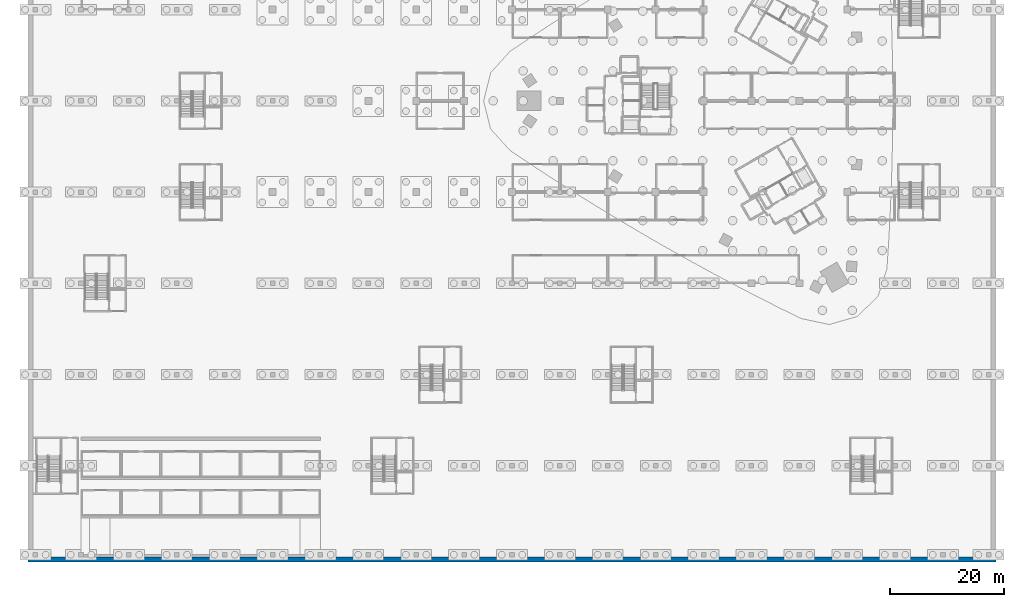
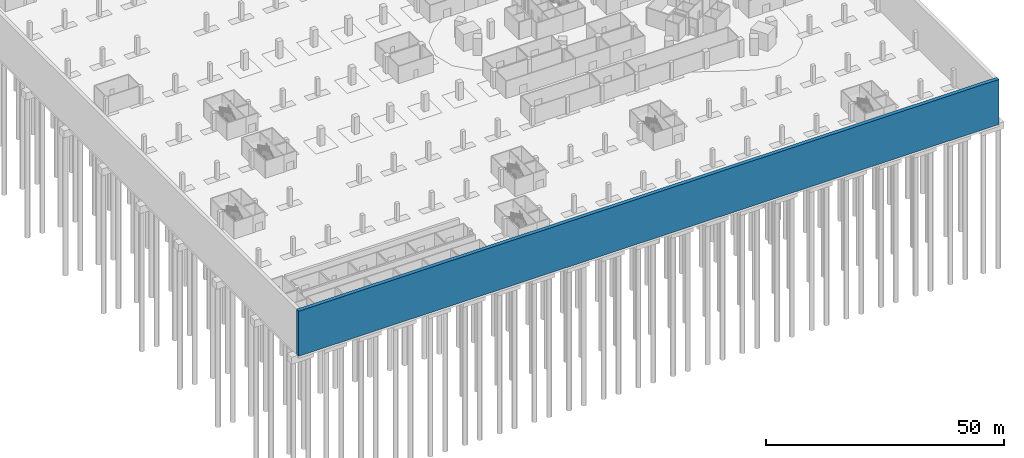
# One storey, part 8 of 46: 1 wall.
"""IFC4 building model written with IfcOpenShell, lengths in metres."""

from ifc_helpers import new_model, si_unit, direction, frame, frame_2d, origin, place, context, subcontext, project, spatial, rectangle, extrude, material, layer, layer_set, type_object, element, save


model = new_model("IFC4")

# Units and contexts
model_context = context("Model", 3, precision=1e-05, world=origin(), true_north=direction((0.0, 1.0)))
body_context = subcontext(model_context, "Body", "Model", "MODEL_VIEW")
ifc_project = project(units=[si_unit("LENGTHUNIT", "METRE"), si_unit("AREAUNIT", "SQUARE_METRE"), si_unit("VOLUMEUNIT", "CUBIC_METRE"), si_unit("PLANEANGLEUNIT", "RADIAN"), si_unit("MASSUNIT", "GRAM", prefix="KILO")], contexts=[model_context])

# Site, building, storey
site_placement = place(None, origin())
site = spatial("IfcSite", under=ifc_project, at=site_placement, CompositionType="ELEMENT")
building_placement = place(site_placement, origin())
building = spatial("IfcBuilding", under=site, at=building_placement, Name="Tamra Quay Hotel Tower", CompositionType="ELEMENT")
storey_placement = place(building_placement, frame((0.0, 0.0, -12.0)))
storey = spatial("IfcBuildingStorey", under=building, at=storey_placement, Name="B3", CompositionType="ELEMENT", Elevation=-12.0)

# Wall
ifc_material = material(Name="Concrete M70", Category="concrete")
ifc_layer = layer(ifc_material, 0.89990234375)
ifc_layer_set = layer_set([ifc_layer], Name="RETAINING WALL 900")
wall_type = type_object("IfcWallType", Name="RETAINING WALL 900", PredefinedType="USERDEFINED", material=ifc_layer_set)
wall_placement = place(storey_placement, frame((-123.60009765625, -80.449951171875, 0.0), z_axis=(0.0, 0.0, 1.0), x_axis=(1.0, 0.0, 0.0)))
element("IfcWall", 1, at=wall_placement, inside=storey, type_object=wall_type, Name="RW900", ObjectType="RETAINING", PredefinedType="USERDEFINED", context=body_context, shape_type="SweptSolid", body=[
    extrude(rectangle(XDim=169.800048828125, YDim=0.89990234375, at=frame_2d((84.89990234375, 0.0))), origin(), (0.0, 0.0, 1.0), 11.550048828125),
])

save(model, "model.ifc")
